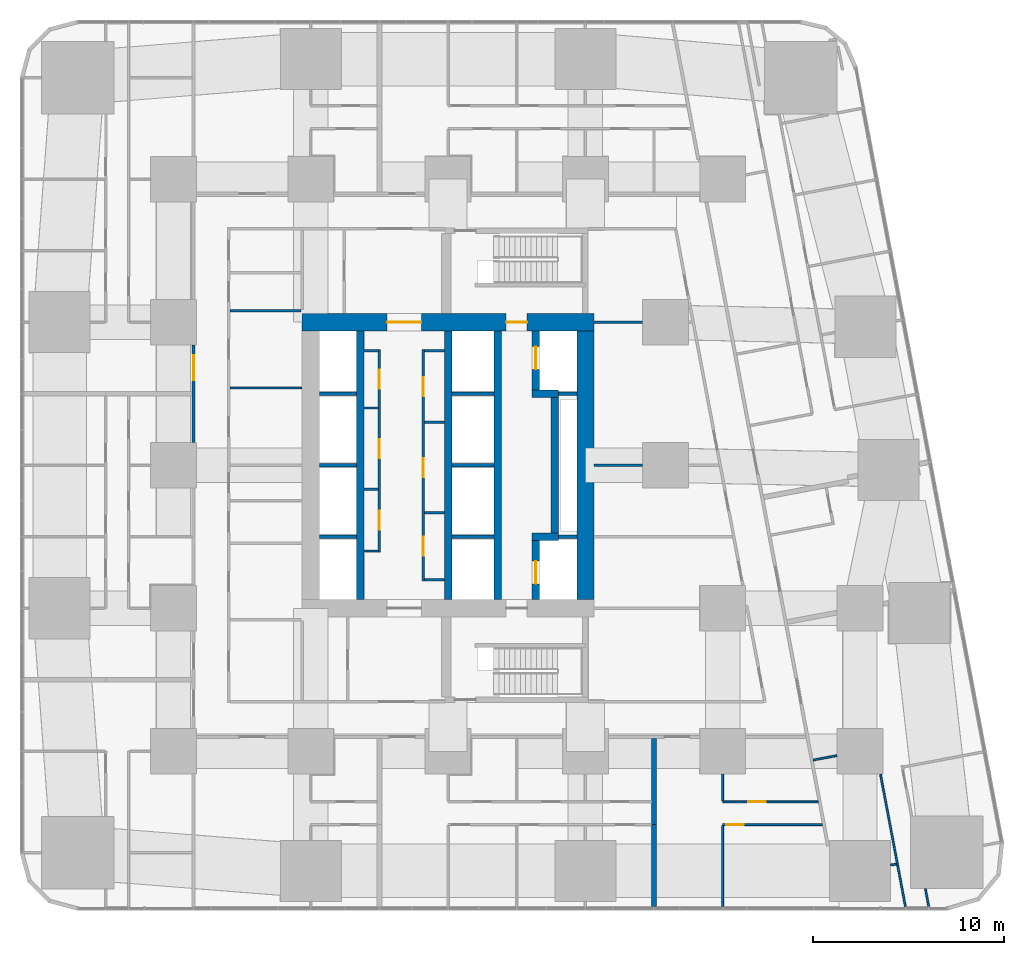
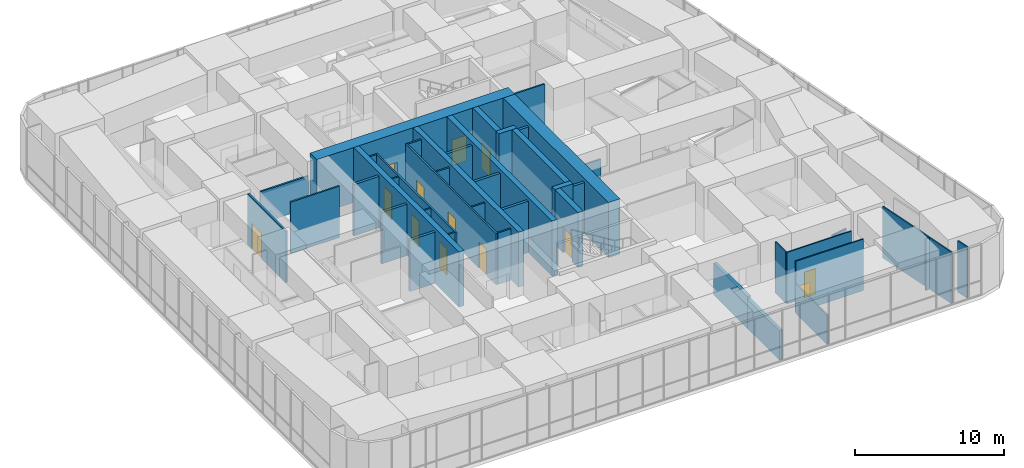
# One storey, part 16 of 23: 43 walls, 13 doors, 13 openings.
"""IFC4 building model written with IfcOpenShell, lengths in metres."""

from ifc_helpers import new_model, si_unit, direction, frame, frame_2d, origin, place, context, subcontext, project, spatial, rectangle, extrude, material, layer, layer_set, type_object, element, fill, save


model = new_model("IFC4")

# Units and contexts
model_context = context("Model", 3, precision=1e-05, world=origin(), true_north=direction((0.0, 1.0)))
body_context = subcontext(model_context, "Body", "Model", "MODEL_VIEW")
ifc_project = project(units=[si_unit("LENGTHUNIT", "METRE"), si_unit("AREAUNIT", "SQUARE_METRE"), si_unit("VOLUMEUNIT", "CUBIC_METRE"), si_unit("PLANEANGLEUNIT", "RADIAN"), si_unit("MASSUNIT", "GRAM", prefix="KILO")], contexts=[model_context])

# Site, building, storey
site_placement = place(None, origin())
site = spatial("IfcSite", under=ifc_project, at=site_placement, CompositionType="ELEMENT")
building_placement = place(site_placement, origin())
building = spatial("IfcBuilding", under=site, at=building_placement, Name="Sheger Commons Tower", CompositionType="ELEMENT")
storey_placement = place(building_placement, frame((0.0, 0.0, 5.60009765625)))
storey = spatial("IfcBuildingStorey", under=building, at=storey_placement, Name="L01", CompositionType="ELEMENT", Elevation=5.60009765625)

# Walls
ifc_material_1 = material(Name="Concrete C50/60", Category="concrete")
ifc_layer_1 = layer(ifc_material_1, 0.39990234375)
ifc_layer_set_1 = layer_set([ifc_layer_1], Name="CORE INNER WALL 400")
wall_type_1 = type_object("IfcWallType", Name="CORE INNER WALL 400", PredefinedType="SHEAR", material=ifc_layer_set_1)
for number, where, z_axis, x_axis, name in (
    (1, (17.0, 15.449951171875, 0.0), (0.0, 0.0, 1.0), (0.0, 1.0, 0.0), "Core inner wall A L01"),
    (2, (21.60009765625, 15.449951171875, 0.0), (0.0, 0.0, 1.0), (0.0, 1.0, 0.0), "Core inner wall L L01"),
    (3, (24.199951171875, 15.449951171875, 0.0), (0.0, 0.0, 1.0), (0.0, 1.0, 0.0), "Core inner wall B L01"),
):
    element("IfcWall", number, at=place(storey_placement, frame(where, z_axis=z_axis, x_axis=x_axis)), inside=storey, type_object=wall_type_1, Name=name, PredefinedType="SHEAR", context=body_context, shape_type="SweptSolid", body=[
        extrude(rectangle(XDim=14.10009765625, YDim=0.39990234375, at=frame_2d((7.050048828125, 0.0))), origin(), (0.0, 0.0, 1.0), 4.5),
    ])

# Wall, opening, door
wall_1_placement = place(storey_placement, frame((26.199951171875, 15.449951171875, 0.0), z_axis=(0.0, 0.0, 1.0), x_axis=(0.0, 1.0, 0.0)))
wall_1 = element("IfcWall", 4, at=wall_1_placement, inside=storey, type_object=wall_type_1, Name="Core inner wall F L01", PredefinedType="SHEAR", context=body_context, shape_type="SweptSolid", body=[
    extrude(rectangle(XDim=3.10009765625, YDim=0.39990234375, at=frame_2d((1.550048828125, 0.0))), origin(), (0.0, 0.0, 1.0), 4.5),
])
opening_1_placement = place(wall_1_placement, frame((0.824951171875, 0.0, 0.0)))
opening_1 = element("IfcOpeningElement", 5, at=opening_1_placement, cuts=wall_1, Name="Opening LD2", PredefinedType="OPENING", context=body_context, shape_type="SweptSolid", body=[
    extrude(rectangle(XDim=1.199951171875, YDim=2.10009765625, at=frame_2d((0.60009765625, 1.050048828125))), frame((0.0, 0.2099609375, 0.0), z_axis=(0.0, -1.0, 0.0), x_axis=(1.0, 0.0, 0.0)), (0.0, 0.0, 1.0), 0.419921875),
])
ifc_material_2 = material(Name="Steel door set, fire rated", Category="steel")
door_type_1 = type_object("IfcDoorType", Name="FIREFIGHTING LIFT LANDING DOOR 1200x2100", OperationType="DOUBLE_DOOR_SLIDING", PredefinedType="DOOR", material=ifc_material_2)
door_1_placement = place(opening_1_placement, origin())
door_1 = element("IfcDoor", 6, at=door_1_placement, inside=storey, type_object=door_type_1, Name="Lift FL1 landing door", OperationType="DOUBLE_DOOR_SLIDING", OverallHeight=2.10009765625, OverallWidth=1.199951171875, PredefinedType="DOOR", context=body_context, shape_type="SweptSolid", body=[
    extrude(rectangle(XDim=1.199951171875, YDim=2.10009765625, at=frame_2d((0.60009765625, 1.050048828125))), frame((0.0, 0.02490234375, 0.0), z_axis=(0.0, -1.0, 0.0), x_axis=(1.0, 0.0, 0.0)), (0.0, 0.0, 1.0), 0.050048828125),
])
fill(opening_1, door_1)

# Walls
wall_2_placement = place(storey_placement, frame((26.0, 18.75, 0.0), z_axis=(0.0, 0.0, 1.0), x_axis=(1.0, 0.0, 0.0)))
element("IfcWall", 7, at=wall_2_placement, inside=storey, type_object=wall_type_1, Name="Core inner wall F south return L01", PredefinedType="SHEAR", context=body_context, shape_type="SweptSolid", body=[
    extrude(rectangle(XDim=1.39990234375, YDim=0.39990234375, at=frame_2d((0.699951171875, 0.0))), origin(), (0.0, 0.0, 1.0), 4.5),
])
wall_3_placement = place(storey_placement, frame((27.199951171875, 18.949951171875, 0.0), z_axis=(0.0, 0.0, 1.0), x_axis=(0.0, 1.0, 0.0)))
element("IfcWall", 8, at=wall_3_placement, inside=storey, type_object=wall_type_1, Name="Core inner wall F middle L01", PredefinedType="SHEAR", context=body_context, shape_type="SweptSolid", body=[
    extrude(rectangle(XDim=7.10009765625, YDim=0.39990234375, at=frame_2d((3.550048828125, 0.0))), origin(), (0.0, 0.0, 1.0), 4.5),
])
wall_4_placement = place(storey_placement, frame((26.0, 26.25, 0.0), z_axis=(0.0, 0.0, 1.0), x_axis=(1.0, 0.0, 0.0)))
element("IfcWall", 9, at=wall_4_placement, inside=storey, type_object=wall_type_1, Name="Core inner wall F north return L01", PredefinedType="SHEAR", context=body_context, shape_type="SweptSolid", body=[
    extrude(rectangle(XDim=1.39990234375, YDim=0.39990234375, at=frame_2d((0.699951171875, 0.0))), origin(), (0.0, 0.0, 1.0), 4.5),
])

# Wall, opening, door
wall_5_placement = place(storey_placement, frame((26.199951171875, 26.449951171875, 0.0), z_axis=(0.0, 0.0, 1.0), x_axis=(0.0, 1.0, 0.0)))
wall_5 = element("IfcWall", 10, at=wall_5_placement, inside=storey, type_object=wall_type_1, Name="Core inner wall F north L01", PredefinedType="SHEAR", context=body_context, shape_type="SweptSolid", body=[
    extrude(rectangle(XDim=3.10009765625, YDim=0.39990234375, at=frame_2d((1.550048828125, 0.0))), origin(), (0.0, 0.0, 1.0), 4.5),
])
opening_2_placement = place(wall_5_placement, frame((1.074951171875, 0.0, 0.0)))
opening_2 = element("IfcOpeningElement", 11, at=opening_2_placement, cuts=wall_5, Name="Opening LD2", PredefinedType="OPENING", context=body_context, shape_type="SweptSolid", body=[
    extrude(rectangle(XDim=1.199951171875, YDim=2.10009765625, at=frame_2d((0.60009765625, 1.050048828125))), frame((0.0, 0.2099609375, 0.0), z_axis=(0.0, -1.0, 0.0), x_axis=(1.0, 0.0, 0.0)), (0.0, 0.0, 1.0), 0.419921875),
])
door_2_placement = place(opening_2_placement, origin())
door_2 = element("IfcDoor", 12, at=door_2_placement, inside=storey, type_object=door_type_1, Name="Lift FL2 landing door", OperationType="DOUBLE_DOOR_SLIDING", OverallHeight=2.10009765625, OverallWidth=1.199951171875, PredefinedType="DOOR", context=body_context, shape_type="SweptSolid", body=[
    extrude(rectangle(XDim=1.199951171875, YDim=2.10009765625, at=frame_2d((0.60009765625, 1.050048828125))), frame((0.0, 0.02490234375, 0.0), z_axis=(0.0, -1.0, 0.0), x_axis=(1.0, 0.0, 0.0)), (0.0, 0.0, 1.0), 0.050048828125),
])
fill(opening_2, door_2)

# Wall, openings, doors
ifc_material_3 = material(Name="Concrete C50/60", Category="concrete")
ifc_layer_2 = layer(ifc_material_3, 0.89990234375)
ifc_layer_set_2 = layer_set([ifc_layer_2], Name="CORE WALL 900")
wall_type_2 = type_object("IfcWallType", Name="CORE WALL 900", PredefinedType="SHEAR", material=ifc_layer_set_2)
wall_6_placement = place(storey_placement, frame((13.949951171875, 30.0, 0.0), z_axis=(0.0, 0.0, 1.0), x_axis=(1.0, 0.0, 0.0)))
wall_6 = element("IfcWall", 13, at=wall_6_placement, inside=storey, type_object=wall_type_2, Name="Core wall north L01", PredefinedType="SHEAR", context=body_context, shape_type="SweptSolid", body=[
    extrude(rectangle(XDim=15.300048828125, YDim=0.89990234375, at=frame_2d((7.64990234375, 0.0))), origin(), (0.0, 0.0, 1.0), 4.5),
])
opening_3_placement = place(wall_6_placement, frame((4.449951171875, 0.0, 0.0)))
opening_3 = element("IfcOpeningElement", 14, at=opening_3_placement, cuts=wall_6, Name="Opening D6", PredefinedType="OPENING", context=body_context, shape_type="SweptSolid", body=[
    extrude(rectangle(XDim=1.800048828125, YDim=2.10009765625, at=frame_2d((0.89990234375, 1.050048828125))), frame((0.0, 0.4599609375, 0.0), z_axis=(0.0, -1.0, 0.0), x_axis=(1.0, 0.0, 0.0)), (0.0, 0.0, 1.0), 0.919921875),
])
opening_4_placement = place(wall_6_placement, frame((10.699951171875, 0.0, 0.0)))
opening_4 = element("IfcOpeningElement", 15, at=opening_4_placement, cuts=wall_6, Name="Opening D5", PredefinedType="OPENING", context=body_context, shape_type="SweptSolid", body=[
    extrude(rectangle(XDim=1.10009765625, YDim=2.10009765625, at=frame_2d((0.550048828125, 1.050048828125))), frame((0.0, 0.4599609375, 0.0), z_axis=(0.0, -1.0, 0.0), x_axis=(1.0, 0.0, 0.0)), (0.0, 0.0, 1.0), 0.919921875),
])
ifc_material_4 = material(Name="Steel door set, fire rated", Category="steel")
door_type_2 = type_object("IfcDoorType", Name="LOBBY DOUBLE DOOR 1800x2100", OperationType="DOUBLE_DOOR_SINGLE_SWING", PredefinedType="DOOR", material=ifc_material_4)
door_3_placement = place(opening_3_placement, origin())
door_3 = element("IfcDoor", 16, at=door_3_placement, inside=storey, type_object=door_type_2, Name="Lift lobby door", OperationType="DOUBLE_DOOR_SINGLE_SWING", OverallHeight=2.10009765625, OverallWidth=1.800048828125, PredefinedType="DOOR", context=body_context, shape_type="SweptSolid", body=[
    extrude(rectangle(XDim=1.800048828125, YDim=2.10009765625, at=frame_2d((0.89990234375, 1.050048828125))), frame((0.0, 0.02490234375, 0.0), z_axis=(0.0, -1.0, 0.0), x_axis=(1.0, 0.0, 0.0)), (0.0, 0.0, 1.0), 0.050048828125),
])
fill(opening_3, door_3)
ifc_material_5 = material(Name="Steel door set, fire rated", Category="steel")
door_type_3 = type_object("IfcDoorType", Name="STAIR DOOR 1100x2100", OperationType="NOTDEFINED", PredefinedType="DOOR", material=ifc_material_5)
door_4_placement = place(opening_4_placement, origin())
door_4 = element("IfcDoor", 17, at=door_4_placement, inside=storey, type_object=door_type_3, Name="Fire-fighting lobby door", OperationType="SINGLE_SWING_RIGHT", OverallHeight=2.10009765625, OverallWidth=1.10009765625, PredefinedType="DOOR", context=body_context, shape_type="SweptSolid", body=[
    extrude(rectangle(XDim=1.10009765625, YDim=2.10009765625, at=frame_2d((0.550048828125, 1.050048828125))), frame((0.0, 0.02490234375, 0.0), z_axis=(0.0, -1.0, 0.0), x_axis=(1.0, 0.0, 0.0)), (0.0, 0.0, 1.0), 0.050048828125),
])
fill(opening_4, door_4)

# Wall
wall_7_placement = place(storey_placement, frame((28.800048828125, 15.449951171875, 0.0), z_axis=(0.0, 0.0, 1.0), x_axis=(0.0, 1.0, 0.0)))
element("IfcWall", 18, at=wall_7_placement, inside=storey, type_object=wall_type_2, Name="Core wall east L01", PredefinedType="SHEAR", context=body_context, shape_type="SweptSolid", body=[
    extrude(rectangle(XDim=14.10009765625, YDim=0.89990234375, at=frame_2d((7.050048828125, 0.0))), origin(), (0.0, 0.0, 1.0), 4.5),
])

# Wall, opening, door
ifc_material_6 = material(Name="Hollow concrete block masonry, skimmed both sides", Category="masonry")
ifc_layer_3 = layer(ifc_material_6, 0.14990234375)
ifc_layer_set_3 = layer_set([ifc_layer_3], Name="CORRIDOR WALL 150")
wall_type_3 = type_object("IfcWallType", Name="CORRIDOR WALL 150", PredefinedType="SOLIDWALL", material=ifc_layer_set_3)
wall_8_placement = place(storey_placement, frame((8.25, 23.700927734375, 0.0), z_axis=(0.0, 0.0, 1.0), x_axis=(0.0, 1.0, 0.0)))
wall_8 = element("IfcWall", 19, at=wall_8_placement, inside=storey, type_object=wall_type_3, Name="Corridor wall L01", PredefinedType="SOLIDWALL", context=body_context, shape_type="SweptSolid", body=[
    extrude(rectangle(XDim=5.09814453125, YDim=0.14990234375, at=frame_2d((2.549072265625, 0.0))), origin(), (0.0, 0.0, 1.0), 4.199951171875),
])
opening_5_placement = place(wall_8_placement, frame((3.26611328125, 0.0, 0.0)))
opening_5 = element("IfcOpeningElement", 20, at=opening_5_placement, cuts=wall_8, Name="Opening D9", PredefinedType="OPENING", context=body_context, shape_type="SweptSolid", body=[
    extrude(rectangle(XDim=1.300048828125, YDim=2.10009765625, at=frame_2d((0.64990234375, 1.050048828125))), frame((0.0, 0.0849609375, 0.0), z_axis=(0.0, -1.0, 0.0), x_axis=(1.0, 0.0, 0.0)), (0.0, 0.0, 1.0), 0.169921875),
])
ifc_material_7 = material(Name="Steel door set, fire rated", Category="steel")
door_type_4 = type_object("IfcDoorType", Name="CLINIC SUITE DOOR 1300x2100", OperationType="DOUBLE_DOOR_SINGLE_SWING", PredefinedType="DOOR", material=ifc_material_7)
door_5_placement = place(opening_5_placement, origin())
door_5 = element("IfcDoor", 21, at=door_5_placement, inside=storey, type_object=door_type_4, Name="Suite door", OperationType="DOUBLE_DOOR_SINGLE_SWING", OverallHeight=2.10009765625, OverallWidth=1.300048828125, PredefinedType="DOOR", context=body_context, shape_type="SweptSolid", body=[
    extrude(rectangle(XDim=1.300048828125, YDim=2.10009765625, at=frame_2d((0.64990234375, 1.050048828125))), frame((0.0, 0.02490234375, 0.0), z_axis=(0.0, -1.0, 0.0), x_axis=(1.0, 0.0, 0.0)), (0.0, 0.0, 1.0), 0.050048828125),
])
fill(opening_5, door_5)

# Walls
ifc_material_8 = material(Name="Dense concrete block masonry, plastered both sides (separating wall between flats)", Category="masonry")
ifc_layer_4 = layer(ifc_material_8, 0.25)
ifc_layer_set_4 = layer_set([ifc_layer_4], Name="DEMISING WALL 250")
wall_type_4 = type_object("IfcWallType", Name="DEMISING WALL 250", PredefinedType="SOLIDWALL", material=ifc_layer_set_4)
wall_9_placement = place(storey_placement, frame((32.39990234375, -0.64990234375, 0.0), z_axis=(0.0, 0.0, 1.0), x_axis=(0.0, 1.0, 0.0)))
element("IfcWall", 22, at=wall_9_placement, inside=storey, type_object=wall_type_4, Name="Demising wall L01", PredefinedType="SOLIDWALL", context=body_context, shape_type="SweptSolid", body=[
    extrude(rectangle(XDim=4.2998046875, YDim=0.25, at=frame_2d((2.14990234375, 0.0))), origin(), (0.0, 0.0, 1.0), 2.39990234375),
])
wall_10_placement = place(storey_placement, frame((32.39990234375, 3.64990234375, 0.0), z_axis=(0.0, 0.0, 1.0), x_axis=(0.0, 1.0, 0.0)))
element("IfcWall", 23, at=wall_10_placement, inside=storey, type_object=wall_type_4, Name="Demising wall L01", PredefinedType="SOLIDWALL", context=body_context, shape_type="SweptSolid", body=[
    extrude(rectangle(XDim=4.525146484375, YDim=0.25, at=frame_2d((2.2626953125, 0.0))), origin(), (0.0, 0.0, 1.0), 2.599853515625),
])

# Wall, opening, door
ifc_material_9 = material(Name="Gypsum board on steel studs", Category="steel")
ifc_layer_5 = layer(ifc_material_9, 0.10009765625)
ifc_layer_set_5 = layer_set([ifc_layer_5], Name="PARTITION 100")
wall_type_5 = type_object("IfcWallType", Name="PARTITION 100", PredefinedType="PARTITIONING", material=ifc_layer_set_5)
wall_11_placement = place(storey_placement, frame((41.22900390625, 3.64990234375, 0.0), z_axis=(0.0, 0.0, 1.0), x_axis=(-1.0, 0.0, 0.0)))
wall_11 = element("IfcWall", 24, at=wall_11_placement, inside=storey, type_object=wall_type_5, Name="Partition L01", PredefinedType="PARTITIONING", context=body_context, shape_type="SweptSolid", body=[
    extrude(rectangle(XDim=5.22900390625, YDim=0.10009765625, at=frame_2d((2.614501953125, 0.0))), origin(), (0.0, 0.0, 1.0), 4.199951171875),
])
opening_6_placement = place(wall_11_placement, frame((4.12890625, 0.0, 0.0)))
opening_6 = element("IfcOpeningElement", 25, at=opening_6_placement, cuts=wall_11, Name="Opening D2", PredefinedType="OPENING", context=body_context, shape_type="SweptSolid", body=[
    extrude(rectangle(XDim=0.89990234375, YDim=2.10009765625, at=frame_2d((0.449951171875, 1.050048828125))), frame((0.0, 0.06005859375, 0.0), z_axis=(0.0, -1.0, 0.0), x_axis=(1.0, 0.0, 0.0)), (0.0, 0.0, 1.0), 0.1201171875),
])
ifc_material_10 = material(Name="Timber door set", Category="wood")
door_type_5 = type_object("IfcDoorType", Name="INTERNAL DOOR 900x2100", OperationType="NOTDEFINED", PredefinedType="DOOR", material=ifc_material_10)
door_6_placement = place(opening_6_placement, origin())
door_6 = element("IfcDoor", 26, at=door_6_placement, inside=storey, type_object=door_type_5, Name="Consulting room door", OperationType="SINGLE_SWING_RIGHT", OverallHeight=2.10009765625, OverallWidth=0.89990234375, PredefinedType="DOOR", context=body_context, shape_type="SweptSolid", body=[
    extrude(rectangle(XDim=0.89990234375, YDim=2.10009765625, at=frame_2d((0.449951171875, 1.050048828125))), frame((0.0, 0.02490234375, 0.0), z_axis=(0.0, -1.0, 0.0), x_axis=(1.0, 0.0, 0.0)), (0.0, 0.0, 1.0), 0.050048828125),
])
fill(opening_6, door_6)

wall_12_placement = place(storey_placement, frame((41.001953125, 4.85009765625, 0.0), z_axis=(0.0, 0.0, 1.0), x_axis=(-1.0, 0.0, 0.0)))
wall_12 = element("IfcWall", 27, at=wall_12_placement, inside=storey, type_object=wall_type_5, Name="Partition L01", PredefinedType="PARTITIONING", context=body_context, shape_type="SweptSolid", body=[
    extrude(rectangle(XDim=5.001953125, YDim=0.10009765625, at=frame_2d((2.5009765625, 0.0))), origin(), (0.0, 0.0, 1.0), 4.199951171875),
])
opening_7_placement = place(wall_12_placement, frame((2.751953125, 0.0, 0.0)))
opening_7 = element("IfcOpeningElement", 28, at=opening_7_placement, cuts=wall_12, Name="Opening D2", PredefinedType="OPENING", context=body_context, shape_type="SweptSolid", body=[
    extrude(rectangle(XDim=0.89990234375, YDim=2.10009765625, at=frame_2d((0.449951171875, 1.050048828125))), frame((0.0, 0.06005859375, 0.0), z_axis=(0.0, -1.0, 0.0), x_axis=(1.0, 0.0, 0.0)), (0.0, 0.0, 1.0), 0.1201171875),
])
door_7_placement = place(opening_7_placement, origin())
door_7 = element("IfcDoor", 29, at=door_7_placement, inside=storey, type_object=door_type_5, Name="Treatment room door", OperationType="SINGLE_SWING_LEFT", OverallHeight=2.10009765625, OverallWidth=0.89990234375, PredefinedType="DOOR", context=body_context, shape_type="SweptSolid", body=[
    extrude(rectangle(XDim=0.89990234375, YDim=2.10009765625, at=frame_2d((0.449951171875, 1.050048828125))), frame((0.0, 0.02490234375, 0.0), z_axis=(0.0, -1.0, 0.0), x_axis=(1.0, 0.0, 0.0)), (0.0, 0.0, 1.0), 0.050048828125),
])
fill(opening_7, door_7)

# Walls
wall_13_placement = place(storey_placement, frame((36.0, -0.64990234375, 0.0), z_axis=(0.0, 0.0, 1.0), x_axis=(0.0, 1.0, 0.0)))
element("IfcWall", 30, at=wall_13_placement, inside=storey, type_object=wall_type_5, Name="Partition L01", PredefinedType="PARTITIONING", context=body_context, shape_type="SweptSolid", body=[
    extrude(rectangle(XDim=4.25, YDim=0.10009765625, at=frame_2d((2.125, 0.0))), origin(), (0.0, 0.0, 1.0), 2.39990234375),
])
wall_14_placement = place(storey_placement, frame((36.0, 4.89990234375, 0.0), z_axis=(0.0, 0.0, 1.0), x_axis=(0.0, 1.0, 0.0)))
element("IfcWall", 31, at=wall_14_placement, inside=storey, type_object=wall_type_5, Name="Partition L01", PredefinedType="PARTITIONING", context=body_context, shape_type="SweptSolid", body=[
    extrude(rectangle(XDim=1.399169921875, YDim=0.10009765625, at=frame_2d((0.69970703125, 0.0))), origin(), (0.0, 0.0, 1.0), 4.199951171875),
])
wall_15_placement = place(storey_placement, frame((46.631103515625, 0.287109375, 0.0), z_axis=(0.0, 0.0, 1.0), x_axis=(0.185617761613, -0.982622026302, 0.0)))
element("IfcWall", 32, at=wall_15_placement, inside=storey, type_object=wall_type_5, Name="Partition L01", PredefinedType="PARTITIONING", context=body_context, shape_type="SweptSolid", body=[
    extrude(rectangle(XDim=0.95361328125, YDim=0.10009765625, at=frame_2d((0.476806640625, 0.0))), origin(), (0.0, 0.0, 1.0), 4.199951171875),
])
wall_16_placement = place(storey_placement, frame((44.277099609375, 6.2900390625, 0.0), z_axis=(0.0, 0.0, 1.0), x_axis=(0.18546139356, -0.982651551415, 0.0)))
element("IfcWall", 33, at=wall_16_placement, inside=storey, type_object=wall_type_5, Name="Partition L01", PredefinedType="PARTITIONING", context=body_context, shape_type="SweptSolid", body=[
    extrude(rectangle(XDim=7.0625, YDim=0.10009765625, at=frame_2d((3.53125, 0.0))), origin(), (0.0, 0.0, 1.0), 4.199951171875),
])
wall_17_placement = place(storey_placement, frame((41.989990234375, 7.27197265625, 0.0), z_axis=(0.0, 0.0, 1.0), x_axis=(-0.982645675559, -0.185492523583, 0.0)))
element("IfcWall", 34, at=wall_17_placement, inside=storey, type_object=wall_type_5, Name="Partition L01", PredefinedType="PARTITIONING", context=body_context, shape_type="SweptSolid", body=[
    extrude(rectangle(XDim=1.260986328125, YDim=0.10009765625, at=frame_2d((0.63037109375, 0.0))), origin(), (0.0, 0.0, 1.0), 2.599853515625),
])
wall_18_placement = place(storey_placement, frame((45.114013671875, 1.5869140625, 0.0), z_axis=(0.0, 0.0, 1.0), x_axis=(-0.982934694903, -0.183954846516, 0.0)))
element("IfcWall", 35, at=wall_18_placement, inside=storey, type_object=wall_type_5, Name="Partition L01", PredefinedType="PARTITIONING", context=body_context, shape_type="SweptSolid", body=[
    extrude(rectangle(XDim=0.309326171875, YDim=0.10009765625, at=frame_2d((0.15478515625, 0.0))), origin(), (0.0, 0.0, 1.0), 4.199951171875),
])
ifc_material_11 = material(Name="Gypsum board on steel studs, two layers each side, fire rated", Category="steel")
ifc_layer_6 = layer(ifc_material_11, 0.125)
ifc_layer_set_6 = layer_set([ifc_layer_6], Name="SERVICE WALL 125")
wall_type_6 = type_object("IfcWallType", Name="SERVICE WALL 125", PredefinedType="PARTITIONING", material=ifc_layer_set_6)
wall_19_placement = place(storey_placement, frame((10.1630859375, 30.60009765625, 0.0), z_axis=(0.0, 0.0, 1.0), x_axis=(1.0, 0.0, 0.0)))
element("IfcWall", 36, at=wall_19_placement, inside=storey, type_object=wall_type_6, Name="Service room wall L01", PredefinedType="PARTITIONING", context=body_context, shape_type="SweptSolid", body=[
    extrude(rectangle(XDim=3.724853515625, YDim=0.125, at=frame_2d((1.8623046875, 0.0))), origin(), (0.0, 0.0, 1.0), 2.599853515625),
])
wall_20_placement = place(storey_placement, frame((29.25, 22.5, 0.0), z_axis=(0.0, 0.0, 1.0), x_axis=(1.0, 0.0, 0.0)))
element("IfcWall", 37, at=wall_20_placement, inside=storey, type_object=wall_type_6, Name="Service room wall L01", PredefinedType="PARTITIONING", context=body_context, shape_type="SweptSolid", body=[
    extrude(rectangle(XDim=2.549072265625, YDim=0.125, at=frame_2d((1.2744140625, 0.0))), origin(), (0.0, 0.0, 1.0), 2.599853515625),
])
wall_21_placement = place(storey_placement, frame((29.25, 30.0, 0.0), z_axis=(0.0, 0.0, 1.0), x_axis=(1.0, 0.0, 0.0)))
element("IfcWall", 38, at=wall_21_placement, inside=storey, type_object=wall_type_6, Name="Service room wall L01", PredefinedType="PARTITIONING", context=body_context, shape_type="SweptSolid", body=[
    extrude(rectangle(XDim=2.549072265625, YDim=0.125, at=frame_2d((1.2744140625, 0.0))), origin(), (0.0, 0.0, 1.0), 4.199951171875),
])
wall_22_placement = place(storey_placement, frame((10.1630859375, 26.550048828125, 0.0), z_axis=(0.0, 0.0, 1.0), x_axis=(1.0, 0.0, 0.0)))
element("IfcWall", 39, at=wall_22_placement, inside=storey, type_object=wall_type_6, Name="Service room wall L01", PredefinedType="PARTITIONING", context=body_context, shape_type="SweptSolid", body=[
    extrude(rectangle(XDim=3.786865234375, YDim=0.125, at=frame_2d((1.8935546875, 0.0))), origin(), (0.0, 0.0, 1.0), 4.199951171875),
])

# Wall, openings, doors
wall_23_placement = place(storey_placement, frame((20.300048828125, 16.43798828125, 0.0), z_axis=(0.0, 0.0, 1.0), x_axis=(0.0, 1.0, 0.0)))
wall_23 = element("IfcWall", 40, at=wall_23_placement, inside=storey, type_object=wall_type_6, Name="Service room wall L01", PredefinedType="PARTITIONING", context=body_context, shape_type="SweptSolid", body=[
    extrude(rectangle(XDim=12.1240234375, YDim=0.125, at=frame_2d((6.06201171875, 0.0))), origin(), (0.0, 0.0, 1.0), 4.199951171875),
])
opening_8_placement = place(wall_23_placement, frame((1.31201171875, 0.0, 0.0)))
opening_8 = element("IfcOpeningElement", 41, at=opening_8_placement, cuts=wall_23, Name="Opening D4", PredefinedType="OPENING", context=body_context, shape_type="SweptSolid", body=[
    extrude(rectangle(XDim=1.0, YDim=2.10009765625, at=frame_2d((0.5, 1.050048828125))), frame((0.0, 0.072509765625, 0.0), z_axis=(0.0, -1.0, 0.0), x_axis=(1.0, 0.0, 0.0)), (0.0, 0.0, 1.0), 0.14501953125),
])
opening_9_placement = place(wall_23_placement, frame((5.43701171875, 0.0, 0.0)))
opening_9 = element("IfcOpeningElement", 42, at=opening_9_placement, cuts=wall_23, Name="Opening D4", PredefinedType="OPENING", context=body_context, shape_type="SweptSolid", body=[
    extrude(rectangle(XDim=1.0, YDim=2.10009765625, at=frame_2d((0.5, 1.050048828125))), frame((0.0, 0.072509765625, 0.0), z_axis=(0.0, -1.0, 0.0), x_axis=(1.0, 0.0, 0.0)), (0.0, 0.0, 1.0), 0.14501953125),
])
opening_10_placement = place(wall_23_placement, frame((9.68701171875, 0.0, 0.0)))
opening_10 = element("IfcOpeningElement", 43, at=opening_10_placement, cuts=wall_23, Name="Opening D4", PredefinedType="OPENING", context=body_context, shape_type="SweptSolid", body=[
    extrude(rectangle(XDim=1.0, YDim=2.10009765625, at=frame_2d((0.5, 1.050048828125))), frame((0.0, 0.072509765625, 0.0), z_axis=(0.0, -1.0, 0.0), x_axis=(1.0, 0.0, 0.0)), (0.0, 0.0, 1.0), 0.14501953125),
])
ifc_material_12 = material(Name="Steel door set, fire rated", Category="steel")
door_type_6 = type_object("IfcDoorType", Name="SERVICE DOOR 1000x2100", OperationType="NOTDEFINED", PredefinedType="DOOR", material=ifc_material_12)
door_8_placement = place(opening_8_placement, origin())
door_8 = element("IfcDoor", 44, at=door_8_placement, inside=storey, type_object=door_type_6, Name="Cleaner's cupboard door", OperationType="SINGLE_SWING_RIGHT", OverallHeight=2.10009765625, OverallWidth=1.0, PredefinedType="DOOR", context=body_context, shape_type="SweptSolid", body=[
    extrude(rectangle(XDim=1.0, YDim=2.10009765625, at=frame_2d((0.5, 1.050048828125))), frame((0.0, 0.02490234375, 0.0), z_axis=(0.0, -1.0, 0.0), x_axis=(1.0, 0.0, 0.0)), (0.0, 0.0, 1.0), 0.050048828125),
])
fill(opening_8, door_8)
door_9_placement = place(opening_9_placement, origin())
door_9 = element("IfcDoor", 45, at=door_9_placement, inside=storey, type_object=door_type_6, Name="Communications cupboard door", OperationType="SINGLE_SWING_RIGHT", OverallHeight=2.10009765625, OverallWidth=1.0, PredefinedType="DOOR", context=body_context, shape_type="SweptSolid", body=[
    extrude(rectangle(XDim=1.0, YDim=2.10009765625, at=frame_2d((0.5, 1.050048828125))), frame((0.0, 0.02490234375, 0.0), z_axis=(0.0, -1.0, 0.0), x_axis=(1.0, 0.0, 0.0)), (0.0, 0.0, 1.0), 0.050048828125),
])
fill(opening_9, door_9)
door_10_placement = place(opening_10_placement, origin())
door_10 = element("IfcDoor", 46, at=door_10_placement, inside=storey, type_object=door_type_6, Name="Electrical cupboard door", OperationType="SINGLE_SWING_LEFT", OverallHeight=2.10009765625, OverallWidth=1.0, PredefinedType="DOOR", context=body_context, shape_type="SweptSolid", body=[
    extrude(rectangle(XDim=1.0, YDim=2.10009765625, at=frame_2d((0.5, 1.050048828125))), frame((0.0, 0.02490234375, 0.0), z_axis=(0.0, -1.0, 0.0), x_axis=(1.0, 0.0, 0.0)), (0.0, 0.0, 1.0), 0.050048828125),
])
fill(opening_10, door_10)

# Walls
for number, where, z_axis, x_axis, name in (
    (47, (20.363037109375, 16.5, 0.0), (0.0, 0.0, 1.0), (1.0, 0.0, 0.0), "Service room wall L01"),
    (48, (20.363037109375, 28.5, 0.0), (0.0, 0.0, 1.0), (1.0, 0.0, 0.0), "Service room wall L01"),
    (49, (20.363037109375, 20.0, 0.0), (0.0, 0.0, 1.0), (1.0, 0.0, 0.0), "Service room wall L01"),
    (50, (20.363037109375, 24.75, 0.0), (0.0, 0.0, 1.0), (1.0, 0.0, 0.0), "Service room wall L01"),
):
    element("IfcWall", number, at=place(storey_placement, frame(where, z_axis=z_axis, x_axis=x_axis)), inside=storey, type_object=wall_type_6, Name=name, PredefinedType="PARTITIONING", context=body_context, shape_type="SweptSolid", body=[
        extrude(rectangle(XDim=1.036865234375, YDim=0.125, at=frame_2d((0.5185546875, 0.0))), origin(), (0.0, 0.0, 1.0), 4.199951171875),
    ])

# Wall, openings, doors
wall_24_placement = place(storey_placement, frame((18.0, 28.56201171875, 0.0), z_axis=(0.0, 0.0, 1.0), x_axis=(0.0, -1.0, 0.0)))
wall_24 = element("IfcWall", 51, at=wall_24_placement, inside=storey, type_object=wall_type_6, Name="Service room wall L01", PredefinedType="PARTITIONING", context=body_context, shape_type="SweptSolid", body=[
    extrude(rectangle(XDim=10.6240234375, YDim=0.125, at=frame_2d((5.31201171875, 0.0))), origin(), (0.0, 0.0, 1.0), 4.199951171875),
])
opening_11_placement = place(wall_24_placement, frame((8.43701171875, 0.0, 0.0)))
opening_11 = element("IfcOpeningElement", 52, at=opening_11_placement, cuts=wall_24, Name="Opening D4", PredefinedType="OPENING", context=body_context, shape_type="SweptSolid", body=[
    extrude(rectangle(XDim=1.0, YDim=2.10009765625, at=frame_2d((0.5, 1.050048828125))), frame((0.0, 0.072509765625, 0.0), z_axis=(0.0, -1.0, 0.0), x_axis=(1.0, 0.0, 0.0)), (0.0, 0.0, 1.0), 0.14501953125),
])
opening_12_placement = place(wall_24_placement, frame((4.68701171875, 0.0, 0.0)))
opening_12 = element("IfcOpeningElement", 53, at=opening_12_placement, cuts=wall_24, Name="Opening D4", PredefinedType="OPENING", context=body_context, shape_type="SweptSolid", body=[
    extrude(rectangle(XDim=1.0, YDim=2.10009765625, at=frame_2d((0.5, 1.050048828125))), frame((0.0, 0.072509765625, 0.0), z_axis=(0.0, -1.0, 0.0), x_axis=(1.0, 0.0, 0.0)), (0.0, 0.0, 1.0), 0.14501953125),
])
opening_13_placement = place(wall_24_placement, frame((1.06201171875, 0.0, 0.0)))
opening_13 = element("IfcOpeningElement", 54, at=opening_13_placement, cuts=wall_24, Name="Opening D4", PredefinedType="OPENING", context=body_context, shape_type="SweptSolid", body=[
    extrude(rectangle(XDim=1.0, YDim=2.10009765625, at=frame_2d((0.5, 1.050048828125))), frame((0.0, 0.072509765625, 0.0), z_axis=(0.0, -1.0, 0.0), x_axis=(1.0, 0.0, 0.0)), (0.0, 0.0, 1.0), 0.14501953125),
])
door_11_placement = place(opening_11_placement, origin())
door_11 = element("IfcDoor", 55, at=door_11_placement, inside=storey, type_object=door_type_6, Name="Housekeeping cupboard door", OperationType="SINGLE_SWING_RIGHT", OverallHeight=2.10009765625, OverallWidth=1.0, PredefinedType="DOOR", context=body_context, shape_type="SweptSolid", body=[
    extrude(rectangle(XDim=1.0, YDim=2.10009765625, at=frame_2d((0.5, 1.050048828125))), frame((0.0, 0.02490234375, 0.0), z_axis=(0.0, -1.0, 0.0), x_axis=(1.0, 0.0, 0.0)), (0.0, 0.0, 1.0), 0.050048828125),
])
fill(opening_11, door_11)
door_12_placement = place(opening_12_placement, origin())
door_12 = element("IfcDoor", 56, at=door_12_placement, inside=storey, type_object=door_type_6, Name="Water meter cupboard door", OperationType="SINGLE_SWING_LEFT", OverallHeight=2.10009765625, OverallWidth=1.0, PredefinedType="DOOR", context=body_context, shape_type="SweptSolid", body=[
    extrude(rectangle(XDim=1.0, YDim=2.10009765625, at=frame_2d((0.5, 1.050048828125))), frame((0.0, 0.02490234375, 0.0), z_axis=(0.0, -1.0, 0.0), x_axis=(1.0, 0.0, 0.0)), (0.0, 0.0, 1.0), 0.050048828125),
])
fill(opening_12, door_12)
door_13_placement = place(opening_13_placement, origin())
door_13 = element("IfcDoor", 57, at=door_13_placement, inside=storey, type_object=door_type_6, Name="Linen cupboard door", OperationType="SINGLE_SWING_LEFT", OverallHeight=2.10009765625, OverallWidth=1.0, PredefinedType="DOOR", context=body_context, shape_type="SweptSolid", body=[
    extrude(rectangle(XDim=1.0, YDim=2.10009765625, at=frame_2d((0.5, 1.050048828125))), frame((0.0, 0.02490234375, 0.0), z_axis=(0.0, -1.0, 0.0), x_axis=(1.0, 0.0, 0.0)), (0.0, 0.0, 1.0), 0.050048828125),
])
fill(opening_13, door_13)

# Walls
for number, where, z_axis, x_axis, name in (
    (58, (17.199951171875, 18.0, 0.0), (0.0, 0.0, 1.0), (1.0, 0.0, 0.0), "Service room wall L01"),
    (59, (17.199951171875, 28.5, 0.0), (0.0, 0.0, 1.0), (1.0, 0.0, 0.0), "Service room wall L01"),
    (60, (17.199951171875, 21.25, 0.0), (0.0, 0.0, 1.0), (1.0, 0.0, 0.0), "Service room wall L01"),
    (61, (17.199951171875, 25.5, 0.0), (0.0, 0.0, 1.0), (1.0, 0.0, 0.0), "Service room wall L01"),
):
    element("IfcWall", number, at=place(storey_placement, frame(where, z_axis=z_axis, x_axis=x_axis)), inside=storey, type_object=wall_type_6, Name=name, PredefinedType="PARTITIONING", context=body_context, shape_type="SweptSolid", body=[
        extrude(rectangle(XDim=0.738037109375, YDim=0.125, at=frame_2d((0.369140625, 0.0))), origin(), (0.0, 0.0, 1.0), 4.199951171875),
    ])
ifc_material_13 = material(Name="Hollow concrete block masonry", Category="masonry")
ifc_layer_7 = layer(ifc_material_13, 0.199951171875)
ifc_layer_set_7 = layer_set([ifc_layer_7], Name="SHAFT WALL 200")
wall_type_7 = type_object("IfcWallType", Name="SHAFT WALL 200", PredefinedType="SOLIDWALL", material=ifc_layer_set_7)
wall_25_placement = place(storey_placement, frame((14.85009765625, 18.75, 0.0), z_axis=(0.0, 0.0, 1.0), x_axis=(1.0, 0.0, 0.0)))
element("IfcWall", 62, at=wall_25_placement, inside=storey, type_object=wall_type_7, Name="Lift shaft wall L01", PredefinedType="SOLIDWALL", context=body_context, shape_type="SweptSolid", body=[
    extrude(rectangle(XDim=1.949951171875, YDim=0.199951171875, at=frame_2d((0.97509765625, 0.0))), origin(), (0.0, 0.0, 1.0), 4.199951171875),
])
wall_26_placement = place(storey_placement, frame((21.800048828125, 18.75, 0.0), z_axis=(0.0, 0.0, 1.0), x_axis=(1.0, 0.0, 0.0)))
element("IfcWall", 63, at=wall_26_placement, inside=storey, type_object=wall_type_7, Name="Lift shaft wall L01", PredefinedType="SOLIDWALL", context=body_context, shape_type="SweptSolid", body=[
    extrude(rectangle(XDim=2.199951171875, YDim=0.199951171875, at=frame_2d((1.10009765625, 0.0))), origin(), (0.0, 0.0, 1.0), 4.199951171875),
])
wall_27_placement = place(storey_placement, frame((14.85009765625, 22.5, 0.0), z_axis=(0.0, 0.0, 1.0), x_axis=(1.0, 0.0, 0.0)))
element("IfcWall", 64, at=wall_27_placement, inside=storey, type_object=wall_type_7, Name="Lift shaft wall L01", PredefinedType="SOLIDWALL", context=body_context, shape_type="SweptSolid", body=[
    extrude(rectangle(XDim=1.949951171875, YDim=0.199951171875, at=frame_2d((0.97509765625, 0.0))), origin(), (0.0, 0.0, 1.0), 4.199951171875),
])
wall_28_placement = place(storey_placement, frame((21.800048828125, 22.5, 0.0), z_axis=(0.0, 0.0, 1.0), x_axis=(1.0, 0.0, 0.0)))
element("IfcWall", 65, at=wall_28_placement, inside=storey, type_object=wall_type_7, Name="Lift shaft wall L01", PredefinedType="SOLIDWALL", context=body_context, shape_type="SweptSolid", body=[
    extrude(rectangle(XDim=2.199951171875, YDim=0.199951171875, at=frame_2d((1.10009765625, 0.0))), origin(), (0.0, 0.0, 1.0), 4.199951171875),
])
wall_29_placement = place(storey_placement, frame((14.85009765625, 26.25, 0.0), z_axis=(0.0, 0.0, 1.0), x_axis=(1.0, 0.0, 0.0)))
element("IfcWall", 66, at=wall_29_placement, inside=storey, type_object=wall_type_7, Name="Lift shaft wall L01", PredefinedType="SOLIDWALL", context=body_context, shape_type="SweptSolid", body=[
    extrude(rectangle(XDim=1.949951171875, YDim=0.199951171875, at=frame_2d((0.97509765625, 0.0))), origin(), (0.0, 0.0, 1.0), 4.199951171875),
])
wall_30_placement = place(storey_placement, frame((21.800048828125, 26.25, 0.0), z_axis=(0.0, 0.0, 1.0), x_axis=(1.0, 0.0, 0.0)))
element("IfcWall", 67, at=wall_30_placement, inside=storey, type_object=wall_type_7, Name="Lift shaft wall L01", PredefinedType="SOLIDWALL", context=body_context, shape_type="SweptSolid", body=[
    extrude(rectangle(XDim=2.199951171875, YDim=0.199951171875, at=frame_2d((1.10009765625, 0.0))), origin(), (0.0, 0.0, 1.0), 4.199951171875),
])
for number, where, z_axis, x_axis, name in (
    (68, (27.39990234375, 18.75, 0.0), (0.0, 0.0, 1.0), (1.0, 0.0, 0.0), "Lift shaft wall L01"),
    (69, (27.39990234375, 26.25, 0.0), (0.0, 0.0, 1.0), (1.0, 0.0, 0.0), "Lift shaft wall L01"),
):
    element("IfcWall", number, at=place(storey_placement, frame(where, z_axis=z_axis, x_axis=x_axis)), inside=storey, type_object=wall_type_7, Name=name, PredefinedType="SOLIDWALL", context=body_context, shape_type="SweptSolid", body=[
        extrude(rectangle(XDim=0.9501953125, YDim=0.199951171875, at=frame_2d((0.47509765625, 0.0))), origin(), (0.0, 0.0, 1.0), 4.199951171875),
    ])

save(model, "model.ifc")
